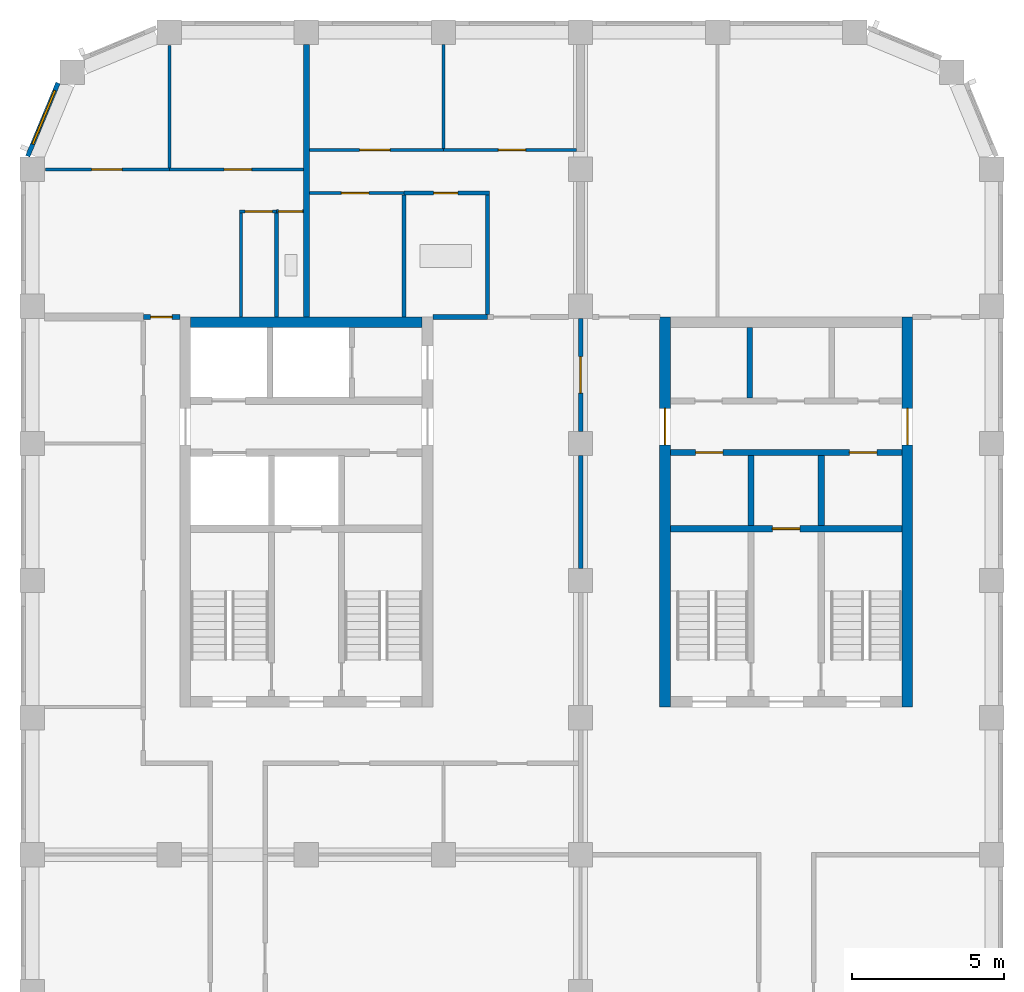
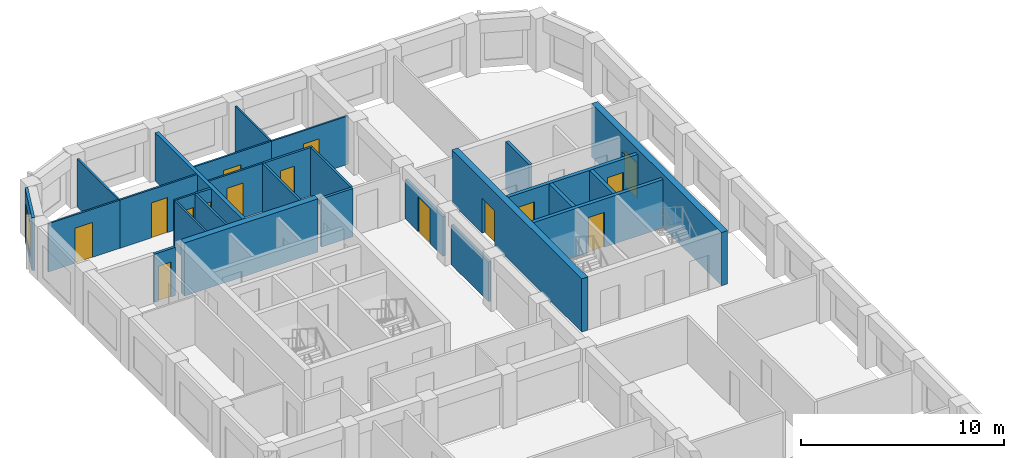
# One storey, part 6 of 10: 28 walls, 15 doors, 1 window, 16 openings.
"""IFC4 building model written with IfcOpenShell, lengths in metres."""

import ifcopenshell
import ifcopenshell.guid

model = None  # the IFC model being written
_history = None  # IfcOwnerHistory: only IFC2X3 demands one
_inside = {}  # id of a spatial element -> (the spatial element, [elements in it])
_under = {}  # id of a project, library or spatial element -> (it, [spatial elements below it])
_declared = {}  # id of a project -> (the project, [libraries it declares])
_typed = {}  # id of a type object -> (the type object, [elements of that type])
_made_of = {}  # id of a material, layer set ... -> (it, [elements and type objects made of it])


def new_model(schema):
    """Start an empty IFC model of exactly this schema.

    Asked for "IFC4X3", IfcOpenShell would pick the latest addendum, in which some entities
    have other attributes; the version numbers below select the first issue.
    IFC2X3 requires an IfcOwnerHistory on every rooted entity: one is made here for all.
    """
    global model, _history
    if schema == "IFC4X3":
        model = ifcopenshell.file(schema_version=(4, 3, 0, 0))
    else:
        model = ifcopenshell.file(schema=schema)
    _inside.clear()
    _under.clear()
    _declared.clear()
    _typed.clear()
    _made_of.clear()
    _history = None
    if model.schema == "IFC2X3":
        org = make("IfcOrganization", Name="unknown")
        user = make(
            "IfcPersonAndOrganization",
            ThePerson=make("IfcPerson", FamilyName="unknown"),
            TheOrganization=org,
        )
        app = make(
            "IfcApplication",
            ApplicationDeveloper=org,
            Version="unknown",
            ApplicationFullName="unknown",
            ApplicationIdentifier="unknown",
        )
        _history = make(
            "IfcOwnerHistory",
            OwningUser=user,
            OwningApplication=app,
            ChangeAction="ADDED",
            CreationDate=0,
        )
    return model


def make(cls, **values):
    """One entity of the class cls with the attributes given. An attribute that is None is left unset."""
    return model.create_entity(
        cls, **{name: value for name, value in values.items() if value is not None}
    )


def rooted(cls, **values):
    """An entity with a GlobalId (a new one), such as an element, a storey or a relation."""
    return make(cls, GlobalId=ifcopenshell.guid.new(), OwnerHistory=_history, **values)


def si_unit(unit_type, name, prefix=None):
    """IfcSIUnit, for example si_unit("LENGTHUNIT", "METRE", prefix="MILLI")."""
    return make("IfcSIUnit", UnitType=unit_type, Prefix=prefix, Name=name)


def assignment(units):
    """IfcUnitAssignment: the units of a project."""
    return None if units is None else make("IfcUnitAssignment", Units=units)


def point(xyz):
    """IfcCartesianPoint."""
    return None if xyz is None else make("IfcCartesianPoint", Coordinates=xyz)


def direction(xyz):
    """IfcDirection."""
    return None if xyz is None else make("IfcDirection", DirectionRatios=xyz)


def frame(location, z_axis=None, x_axis=None):
    """IfcAxis2Placement3D, a coordinate frame: its origin and axes. An axis left out is left unset."""
    return make(
        "IfcAxis2Placement3D",
        Location=point(location),
        Axis=direction(z_axis),
        RefDirection=direction(x_axis),
    )


def frame_2d(location, x_axis=None):
    """IfcAxis2Placement2D, a coordinate frame in the plane: its origin and x axis."""
    return make(
        "IfcAxis2Placement2D", Location=point(location), RefDirection=direction(x_axis)
    )


def origin():
    """The frame at (0, 0, 0) with its axes left unset."""
    return frame((0.0, 0.0, 0.0))


def place(relative_to, where):
    """IfcLocalPlacement: puts the frame where relative to a parent placement (None: the world)."""
    return make(
        "IfcLocalPlacement", PlacementRelTo=relative_to, RelativePlacement=where
    )


def context(
    kind, dimensions, precision=None, world=None, true_north=None, identifier=None
):
    """IfcGeometricRepresentationContext, for example the 3D "Model" context."""
    return make(
        "IfcGeometricRepresentationContext",
        ContextIdentifier=identifier,
        ContextType=kind,
        CoordinateSpaceDimension=dimensions,
        Precision=precision,
        WorldCoordinateSystem=world,
        TrueNorth=true_north,
    )


def subcontext(parent, identifier, kind, view, scale=None):
    """IfcGeometricRepresentationSubContext, for example "Body" below "Model"."""
    return make(
        "IfcGeometricRepresentationSubContext",
        ContextIdentifier=identifier,
        ContextType=kind,
        ParentContext=parent,
        TargetScale=scale,
        TargetView=view,
    )


def project(units=None, contexts=None):
    """IfcProject with its units and contexts."""
    return rooted(
        "IfcProject",
        Name="project",
        RepresentationContexts=contexts,
        UnitsInContext=assignment(units),
    )


def spatial(cls, under=None, at=None, **own):
    """A site, building, storey or space (cls), placed at a placement, below another one or the project."""
    s = rooted(cls, ObjectPlacement=at, **own)
    if under is not None:
        _under.setdefault(under.id(), (under, []))[1].append(s)
    return s


def profile(cls, at=None, kind="AREA", **sizes):
    """A parametric profile (cls). Its sizes go by their IFC names, for example OverallWidth=200.0."""
    return make(cls, ProfileType=kind, Position=at, **sizes)


def rectangle(**sizes):
    """IfcRectangleProfileDef."""
    return profile("IfcRectangleProfileDef", **sizes)


def extrude(swept, where, along, depth):
    """IfcExtrudedAreaSolid: the profile swept, set in the frame where, extruded along a direction by depth."""
    return make(
        "IfcExtrudedAreaSolid",
        SweptArea=swept,
        Position=where,
        ExtrudedDirection=direction(along),
        Depth=depth,
    )


def shape(context_of_items, identifier, shape_type, items):
    """IfcShapeRepresentation: the items that make up one representation, for example the "Body"."""
    return make(
        "IfcShapeRepresentation",
        ContextOfItems=context_of_items,
        RepresentationIdentifier=identifier,
        RepresentationType=shape_type,
        Items=items,
    )


def material(Name=None, Category=None):
    """IfcMaterial."""
    return make("IfcMaterial", Name=Name, Category=Category)


def layer(
    of_material, thickness, ventilated=None, Name=None, Category=None, Priority=None
):
    """IfcMaterialLayer: one layer of a wall or slab, of a material (None: an air gap)."""
    return make(
        "IfcMaterialLayer",
        Material=of_material,
        LayerThickness=thickness,
        IsVentilated=ventilated,
        Name=Name,
        Category=Category,
        Priority=Priority,
    )


def layer_set(layers, Name=None):
    """IfcMaterialLayerSet."""
    return make("IfcMaterialLayerSet", MaterialLayers=layers, LayerSetName=Name)


def made_of(thing, what):
    """Note that an element or type object is made of a material, layer set ...; save() writes the relation."""
    if what is not None:
        _made_of.setdefault(what.id(), (what, []))[1].append(thing)
    return thing


def type_object(cls, material=None, **own):
    """A type object (cls), such as IfcWallType, which elements share."""
    return made_of(rooted(cls, **own), material)


def element(
    cls,
    number,
    at=None,
    inside=None,
    cuts=None,
    type_object=None,
    material=None,
    context=None,
    identifier="Body",
    shape_type=None,
    held_by="IfcProductDefinitionShape",
    body=None,
    shapes=None,
    **own,
):
    """One element of the class cls, such as IfcWall. Its Tag is "e" and its number.

    at: its placement. inside: the storey or other place that contains it. cuts: it is an
    opening in that element (IfcRelVoidsElement). A single representation is given by context,
    identifier, shape_type and body (its items); several are given by shapes. held_by: the class
    of the entity that holds the representations. save() writes the other relations.
    """
    e = rooted(cls, Tag="e%d" % number, ObjectPlacement=at, **own)
    if body is not None:
        shapes = [shape(context, identifier, shape_type, body)]
    if shapes is not None:
        e.Representation = make(held_by, Representations=shapes)
    if inside is not None:
        _inside.setdefault(inside.id(), (inside, []))[1].append(e)
    if cuts is not None:
        rooted(
            "IfcRelVoidsElement", RelatingBuildingElement=cuts, RelatedOpeningElement=e
        )
    if type_object is not None:
        _typed.setdefault(type_object.id(), (type_object, []))[1].append(e)
    return made_of(e, material)


def fill(opening, filler):
    """IfcRelFillsElement: the door or window that sits in an opening."""
    return rooted(
        "IfcRelFillsElement",
        RelatingOpeningElement=opening,
        RelatedBuildingElement=filler,
    )


def aggregate(whole, parts):
    """IfcRelAggregates: a whole, such as a stair, and the parts it consists of."""
    return rooted("IfcRelAggregates", RelatingObject=whole, RelatedObjects=parts)


def save(model, path):
    """Write the relations noted so far, then the file.

    IfcRelAggregates (storeys below a building ...), IfcRelContainedInSpatialStructure (elements
    in a storey), IfcRelDefinesByType, IfcRelAssociatesMaterial and IfcRelDeclares: one each for
    every whole, place, type object, material and project.
    """
    for whole, parts in _under.values():
        aggregate(whole, parts)
    for where, things in _inside.values():
        rooted(
            "IfcRelContainedInSpatialStructure",
            RelatedElements=things,
            RelatingStructure=where,
        )
    for kind, things in _typed.values():
        rooted("IfcRelDefinesByType", RelatedObjects=things, RelatingType=kind)
    for what, things in _made_of.values():
        rooted("IfcRelAssociatesMaterial", RelatedObjects=things, RelatingMaterial=what)
    for by, libraries in _declared.values():
        rooted("IfcRelDeclares", RelatingContext=by, RelatedDefinitions=libraries)
    model.write(path)


model = new_model("IFC4")

# Units and contexts
model_context = context("Model", 3, precision=1e-05, world=origin(), true_north=direction((0.0, 1.0)))
body_context = subcontext(model_context, "Body", "Model", "MODEL_VIEW")
ifc_project = project(units=[si_unit("LENGTHUNIT", "METRE"), si_unit("AREAUNIT", "SQUARE_METRE"), si_unit("VOLUMEUNIT", "CUBIC_METRE"), si_unit("PLANEANGLEUNIT", "RADIAN"), si_unit("MASSUNIT", "GRAM", prefix="KILO")], contexts=[model_context])

# Site, building, storey
site_placement = place(None, origin())
site = spatial("IfcSite", under=ifc_project, at=site_placement, CompositionType="ELEMENT")
building_placement = place(site_placement, origin())
building = spatial("IfcBuilding", under=site, at=building_placement, Name="Girih Gate Residences", CompositionType="ELEMENT")
storey_placement = place(building_placement, frame((0.0, 0.0, 195.5)))
storey = spatial("IfcBuildingStorey", under=building, at=storey_placement, Name="L54", CompositionType="ELEMENT", Elevation=195.5)

# Wall, opening, door
ifc_material_1 = material(Name="Gypsum board on steel studs", Category="steel")
ifc_layer_1 = layer(ifc_material_1, 0.14990234375)
ifc_layer_set_1 = layer_set([ifc_layer_1], Name="Compartment wall 150 mm")
wall_type_1 = type_object("IfcWallType", Name="Compartment wall 150 mm", PredefinedType="PARTITIONING", material=ifc_layer_set_1)
wall_1_placement = place(storey_placement, frame((3.64990234375, 40.14990234375, 0.0), z_axis=(0.0, 0.0, 1.0), x_axis=(1.0, 0.0, 0.0)))
wall_1 = element("IfcWall", 1, at=wall_1_placement, inside=storey, type_object=wall_type_1, Name="L54 partition", PredefinedType="PARTITIONING", context=body_context, shape_type="SweptSolid", body=[
    extrude(rectangle(XDim=1.2001953125, YDim=0.14990234375, at=frame_2d((0.60009765625, 0.0))), origin(), (0.0, 0.0, 1.0), 2.89990234375),
])
opening_1_placement = place(wall_1_placement, frame((0.239990234375, 0.0, 0.0)))
opening_1 = element("IfcOpeningElement", 2, at=opening_1_placement, cuts=wall_1, Name="Opening A54-015", PredefinedType="OPENING", context=body_context, shape_type="SweptSolid", body=[
    extrude(rectangle(XDim=0.699951171875, YDim=2.10009765625, at=frame_2d((0.35009765625, 1.050048828125))), frame((0.0, 0.0849609375, 0.0), z_axis=(0.0, -1.0, 0.0), x_axis=(1.0, 0.0, 0.0)), (0.0, 0.0, 1.0), 0.169921875),
])
ifc_material_2 = material(Name="Timber", Category="wood")
door_type_1 = type_object("IfcDoorType", Name="Narrow door 700x2100", OperationType="NOTDEFINED", PredefinedType="DOOR", material=ifc_material_2)
door_1_placement = place(opening_1_placement, origin())
door_1 = element("IfcDoor", 3, at=door_1_placement, inside=storey, type_object=door_type_1, Name="Door A54-015", OperationType="SINGLE_SWING_LEFT", OverallHeight=2.10009765625, OverallWidth=0.699951171875, PredefinedType="DOOR", context=body_context, shape_type="SweptSolid", body=[
    extrude(rectangle(XDim=0.699951171875, YDim=2.10009765625, at=frame_2d((0.35009765625, 1.050048828125))), frame((0.0, 0.02490234375, 0.0), z_axis=(0.0, -1.0, 0.0), x_axis=(1.0, 0.0, 0.0)), (0.0, 0.0, 1.0), 0.050048828125),
])
fill(opening_1, door_1)

# Walls
wall_2_placement = place(storey_placement, frame((13.14990234375, 40.14990234375, 0.0), z_axis=(0.0, 0.0, 1.0), x_axis=(1.0, 0.0, 0.0)))
element("IfcWall", 4, at=wall_2_placement, inside=storey, type_object=wall_type_1, Name="L54 partition", PredefinedType="PARTITIONING", context=body_context, shape_type="SweptSolid", body=[
    extrude(rectangle(XDim=1.800048828125, YDim=0.14990234375, at=frame_2d((0.89990234375, 0.0))), origin(), (0.0, 0.0, 1.0), 2.89990234375),
])
wall_3_placement = place(storey_placement, frame((18.0, 31.89990234375, 0.0), z_axis=(0.0, 0.0, 1.0), x_axis=(0.0, 1.0, 0.0)))
element("IfcWall", 5, at=wall_3_placement, inside=storey, type_object=wall_type_1, Name="L54 partition", PredefinedType="PARTITIONING", context=body_context, shape_type="SweptSolid", body=[
    extrude(rectangle(XDim=3.7001953125, YDim=0.14990234375, at=frame_2d((1.85009765625, 0.0))), origin(), (0.0, 0.0, 1.0), 2.3798828125),
])

# Wall, opening, door
wall_4_placement = place(storey_placement, frame((18.0, 40.10009765625, 0.0), z_axis=(0.0, 0.0, 1.0), x_axis=(0.0, -1.0, 0.0)))
wall_4 = element("IfcWall", 6, at=wall_4_placement, inside=storey, type_object=wall_type_1, Name="L54 partition", PredefinedType="PARTITIONING", context=body_context, shape_type="SweptSolid", body=[
    extrude(rectangle(XDim=3.7001953125, YDim=0.14990234375, at=frame_2d((1.85009765625, 0.0))), origin(), (0.0, 0.0, 1.0), 2.3798828125),
])
opening_2_placement = place(wall_4_placement, frame((1.25, 0.0, 0.0)))
opening_2 = element("IfcOpeningElement", 7, at=opening_2_placement, cuts=wall_4, Name="Opening A54-030", PredefinedType="OPENING", context=body_context, shape_type="SweptSolid", body=[
    extrude(rectangle(XDim=1.199951171875, YDim=2.10009765625, at=frame_2d((0.60009765625, 1.050048828125))), frame((0.0, 0.0849609375, 0.0), z_axis=(0.0, -1.0, 0.0), x_axis=(1.0, 0.0, 0.0)), (0.0, 0.0, 1.0), 0.169921875),
])
ifc_material_3 = material(Name="Timber, fire-rated core", Category="wood")
door_type_2 = type_object("IfcDoorType", Name="Corridor fire door 1200x2100 FD30S", OperationType="NOTDEFINED", PredefinedType="DOOR", material=ifc_material_3)
door_2_placement = place(opening_2_placement, origin())
door_2 = element("IfcDoor", 8, at=door_2_placement, inside=storey, type_object=door_type_2, Name="Door A54-030", OperationType="SINGLE_SWING_LEFT", OverallHeight=2.10009765625, OverallWidth=1.199951171875, PredefinedType="DOOR", context=body_context, shape_type="SweptSolid", body=[
    extrude(rectangle(XDim=1.199951171875, YDim=2.10009765625, at=frame_2d((0.60009765625, 1.050048828125))), frame((0.0, 0.02490234375, 0.0), z_axis=(0.0, -1.0, 0.0), x_axis=(1.0, 0.0, 0.0)), (0.0, 0.0, 1.0), 0.050048828125),
])
fill(opening_2, door_2)

# Wall
ifc_material_4 = material(Name="Concrete C60/75", Category="concrete")
ifc_layer_2 = layer(ifc_material_4, 0.35009765625)
ifc_layer_set_2 = layer_set([ifc_layer_2], Name="Core wall RC 350 Concrete C60/75")
wall_type_2 = type_object("IfcWallType", Name="Core wall RC 350 Concrete C60/75", PredefinedType="SOLIDWALL", material=ifc_layer_set_2)
wall_5_placement = place(storey_placement, frame((5.199951171875, 39.97509765625, 0.0), z_axis=(0.0, 0.0, 1.0), x_axis=(1.0, 0.0, 0.0)))
element("IfcWall", 9, at=wall_5_placement, inside=storey, type_object=wall_type_2, Name="Core wall W-N L54", PredefinedType="SOLIDWALL", context=body_context, shape_type="SweptSolid", body=[
    extrude(rectangle(XDim=7.60009765625, YDim=0.35009765625, at=frame_2d((3.800048828125, 0.0))), origin(), (0.0, 0.0, 1.0), 3.199951171875),
])

# Wall, opening, door
ifc_layer_3 = layer(ifc_material_1, 0.10009765625)
ifc_layer_set_3 = layer_set([ifc_layer_3], Name="Partition 100 mm")
wall_type_3 = type_object("IfcWallType", Name="Partition 100 mm", PredefinedType="PARTITIONING", material=ifc_layer_set_3)
wall_6_placement = place(storey_placement, frame((4.5, 45.0, 0.0), z_axis=(0.0, 0.0, 1.0), x_axis=(1.0, 0.0, 0.0)))
wall_6 = element("IfcWall", 10, at=wall_6_placement, inside=storey, type_object=wall_type_3, Name="L54 partition", PredefinedType="PARTITIONING", context=body_context, shape_type="SweptSolid", body=[
    extrude(rectangle(XDim=4.39990234375, YDim=0.10009765625, at=frame_2d((2.199951171875, 0.0))), origin(), (0.0, 0.0, 1.0), 2.89990234375),
])
opening_3_placement = place(wall_6_placement, frame((1.800048828125, 0.0, 0.0)))
opening_3 = element("IfcOpeningElement", 11, at=opening_3_placement, cuts=wall_6, Name="Opening A54-012", PredefinedType="OPENING", context=body_context, shape_type="SweptSolid", body=[
    extrude(rectangle(XDim=0.89990234375, YDim=2.10009765625, at=frame_2d((0.449951171875, 1.050048828125))), frame((0.0, 0.06005859375, 0.0), z_axis=(0.0, -1.0, 0.0), x_axis=(1.0, 0.0, 0.0)), (0.0, 0.0, 1.0), 0.1201171875),
])
door_type_3 = type_object("IfcDoorType", Name="Bedroom door 900x2100", OperationType="NOTDEFINED", PredefinedType="DOOR", material=ifc_material_2)
door_3_placement = place(opening_3_placement, origin())
door_3 = element("IfcDoor", 12, at=door_3_placement, inside=storey, type_object=door_type_3, Name="Door A54-012", OperationType="SINGLE_SWING_RIGHT", OverallHeight=2.10009765625, OverallWidth=0.89990234375, PredefinedType="DOOR", context=body_context, shape_type="SweptSolid", body=[
    extrude(rectangle(XDim=0.89990234375, YDim=2.10009765625, at=frame_2d((0.449951171875, 1.050048828125))), frame((0.0, 0.02490234375, 0.0), z_axis=(0.0, -1.0, 0.0), x_axis=(1.0, 0.0, 0.0)), (0.0, 0.0, 1.0), 0.050048828125),
])
fill(opening_3, door_3)

# Wall
wall_7_placement = place(storey_placement, frame((4.5, 45.050048828125, 0.0), z_axis=(0.0, 0.0, 1.0), x_axis=(0.0, 1.0, 0.0)))
element("IfcWall", 13, at=wall_7_placement, inside=storey, type_object=wall_type_3, Name="L54 partition", PredefinedType="PARTITIONING", context=body_context, shape_type="SweptSolid", body=[
    extrude(rectangle(XDim=4.01708984375, YDim=0.10009765625, at=frame_2d((2.008544921875, 0.0))), origin(), (0.0, 0.0, 1.0), 2.89990234375),
])

# Wall, opening, door
wall_8_placement = place(storey_placement, frame((8.022705078125, 43.6201171875, 0.0), z_axis=(0.0, 0.0, 1.0), x_axis=(-1.0, 0.0, 0.0)))
wall_8 = element("IfcWall", 14, at=wall_8_placement, inside=storey, type_object=wall_type_3, Name="L54 partition", PredefinedType="PARTITIONING", context=body_context, shape_type="SweptSolid", body=[
    extrude(rectangle(XDim=1.22265625, YDim=0.10009765625, at=frame_2d((0.611328125, 0.0))), origin(), (0.0, 0.0, 1.0), 2.89990234375),
])
opening_4_placement = place(wall_8_placement, frame((0.136474609375, 0.0, 0.0)))
opening_4 = element("IfcOpeningElement", 15, at=opening_4_placement, cuts=wall_8, Name="Opening A54-013", PredefinedType="OPENING", context=body_context, shape_type="SweptSolid", body=[
    extrude(rectangle(XDim=0.89990234375, YDim=2.10009765625, at=frame_2d((0.449951171875, 1.050048828125))), frame((0.0, 0.06005859375, 0.0), z_axis=(0.0, -1.0, 0.0), x_axis=(1.0, 0.0, 0.0)), (0.0, 0.0, 1.0), 0.1201171875),
])
door_type_4 = type_object("IfcDoorType", Name="Kitchen door 900x2100", OperationType="NOTDEFINED", PredefinedType="DOOR", material=ifc_material_2)
door_4_placement = place(opening_4_placement, origin())
door_4 = element("IfcDoor", 16, at=door_4_placement, inside=storey, type_object=door_type_4, Name="Door A54-013", OperationType="SINGLE_SWING_LEFT", OverallHeight=2.10009765625, OverallWidth=0.89990234375, PredefinedType="DOOR", context=body_context, shape_type="SweptSolid", body=[
    extrude(rectangle(XDim=0.89990234375, YDim=2.10009765625, at=frame_2d((0.449951171875, 1.050048828125))), frame((0.0, 0.02490234375, 0.0), z_axis=(0.0, -1.0, 0.0), x_axis=(1.0, 0.0, 0.0)), (0.0, 0.0, 1.0), 0.050048828125),
])
fill(opening_4, door_4)

# Wall
wall_9_placement = place(storey_placement, frame((6.85009765625, 40.14990234375, 0.0), z_axis=(0.0, 0.0, 1.0), x_axis=(0.0, 1.0, 0.0)))
element("IfcWall", 17, at=wall_9_placement, inside=storey, type_object=wall_type_3, Name="L54 partition", PredefinedType="PARTITIONING", context=body_context, shape_type="SweptSolid", body=[
    extrude(rectangle(XDim=3.420166015625, YDim=0.10009765625, at=frame_2d((1.7099609375, 0.0))), origin(), (0.0, 0.0, 1.0), 2.89990234375),
])

# Wall, opening, door
wall_10_placement = place(storey_placement, frame((0.432861328125, 45.0, 0.0), z_axis=(0.0, 0.0, 1.0), x_axis=(1.0, 0.0, 0.0)))
wall_10 = element("IfcWall", 18, at=wall_10_placement, inside=storey, type_object=wall_type_3, Name="L54 partition", PredefinedType="PARTITIONING", context=body_context, shape_type="SweptSolid", body=[
    extrude(rectangle(XDim=4.067138671875, YDim=0.10009765625, at=frame_2d((2.03369140625, 0.0))), origin(), (0.0, 0.0, 1.0), 2.89990234375),
])
opening_5_placement = place(wall_10_placement, frame((1.51708984375, 0.0, 0.0)))
opening_5 = element("IfcOpeningElement", 19, at=opening_5_placement, cuts=wall_10, Name="Opening A54-014", PredefinedType="OPENING", context=body_context, shape_type="SweptSolid", body=[
    extrude(rectangle(XDim=1.0, YDim=2.10009765625, at=frame_2d((0.5, 1.050048828125))), frame((0.0, 0.06005859375, 0.0), z_axis=(0.0, -1.0, 0.0), x_axis=(1.0, 0.0, 0.0)), (0.0, 0.0, 1.0), 0.1201171875),
])
door_type_5 = type_object("IfcDoorType", Name="Living room door 1000x2100", OperationType="NOTDEFINED", PredefinedType="DOOR", material=ifc_material_2)
door_5_placement = place(opening_5_placement, origin())
door_5 = element("IfcDoor", 20, at=door_5_placement, inside=storey, type_object=door_type_5, Name="Door A54-014", OperationType="SINGLE_SWING_LEFT", OverallHeight=2.10009765625, OverallWidth=1.0, PredefinedType="DOOR", context=body_context, shape_type="SweptSolid", body=[
    extrude(rectangle(XDim=1.0, YDim=2.10009765625, at=frame_2d((0.5, 1.050048828125))), frame((0.0, 0.02490234375, 0.0), z_axis=(0.0, -1.0, 0.0), x_axis=(1.0, 0.0, 0.0)), (0.0, 0.0, 1.0), 0.050048828125),
])
fill(opening_5, door_5)

wall_11_placement = place(storey_placement, frame((13.5, 45.639892578125, 0.0), z_axis=(0.0, 0.0, 1.0), x_axis=(1.0, 0.0, 0.0)))
wall_11 = element("IfcWall", 21, at=wall_11_placement, inside=storey, type_object=wall_type_3, Name="L54 partition", PredefinedType="PARTITIONING", context=body_context, shape_type="SweptSolid", body=[
    extrude(rectangle(XDim=4.375, YDim=0.10009765625, at=frame_2d((2.1875, 0.0))), origin(), (0.0, 0.0, 1.0), 2.89990234375),
])
opening_6_placement = place(wall_11_placement, frame((1.800048828125, 0.0, 0.0)))
opening_6 = element("IfcOpeningElement", 22, at=opening_6_placement, cuts=wall_11, Name="Opening A54-017", PredefinedType="OPENING", context=body_context, shape_type="SweptSolid", body=[
    extrude(rectangle(XDim=0.89990234375, YDim=2.10009765625, at=frame_2d((0.449951171875, 1.050048828125))), frame((0.0, 0.06005859375, 0.0), z_axis=(0.0, -1.0, 0.0), x_axis=(1.0, 0.0, 0.0)), (0.0, 0.0, 1.0), 0.1201171875),
])
door_6_placement = place(opening_6_placement, origin())
door_6 = element("IfcDoor", 23, at=door_6_placement, inside=storey, type_object=door_type_3, Name="Door A54-017", OperationType="SINGLE_SWING_RIGHT", OverallHeight=2.10009765625, OverallWidth=0.89990234375, PredefinedType="DOOR", context=body_context, shape_type="SweptSolid", body=[
    extrude(rectangle(XDim=0.89990234375, YDim=2.10009765625, at=frame_2d((0.449951171875, 1.050048828125))), frame((0.0, 0.02490234375, 0.0), z_axis=(0.0, -1.0, 0.0), x_axis=(1.0, 0.0, 0.0)), (0.0, 0.0, 1.0), 0.050048828125),
])
fill(opening_6, door_6)

# Wall
wall_12_placement = place(storey_placement, frame((13.5, 45.68994140625, 0.0), z_axis=(0.0, 0.0, 1.0), x_axis=(0.0, 1.0, 0.0)))
element("IfcWall", 24, at=wall_12_placement, inside=storey, type_object=wall_type_3, Name="L54 partition", PredefinedType="PARTITIONING", context=body_context, shape_type="SweptSolid", body=[
    extrude(rectangle(XDim=3.41015625, YDim=0.10009765625, at=frame_2d((1.705078125, 0.0))), origin(), (0.0, 0.0, 1.0), 2.89990234375),
])

# Wall, opening, door
wall_13_placement = place(storey_placement, frame((12.200927734375, 44.219970703125, 0.0), z_axis=(0.0, 0.0, 1.0), x_axis=(-1.0, 0.0, 0.0)))
wall_13 = element("IfcWall", 25, at=wall_13_placement, inside=storey, type_object=wall_type_3, Name="L54 partition", PredefinedType="PARTITIONING", context=body_context, shape_type="SweptSolid", body=[
    extrude(rectangle(XDim=3.100830078125, YDim=0.10009765625, at=frame_2d((1.55029296875, 0.0))), origin(), (0.0, 0.0, 1.0), 2.89990234375),
])
opening_7_placement = place(wall_13_placement, frame((1.150390625, 0.0, 0.0)))
opening_7 = element("IfcOpeningElement", 26, at=opening_7_placement, cuts=wall_13, Name="Opening A54-018", PredefinedType="OPENING", context=body_context, shape_type="SweptSolid", body=[
    extrude(rectangle(XDim=0.89990234375, YDim=2.10009765625, at=frame_2d((0.449951171875, 1.050048828125))), frame((0.0, 0.06005859375, 0.0), z_axis=(0.0, -1.0, 0.0), x_axis=(1.0, 0.0, 0.0)), (0.0, 0.0, 1.0), 0.1201171875),
])
door_7_placement = place(opening_7_placement, origin())
door_7 = element("IfcDoor", 27, at=door_7_placement, inside=storey, type_object=door_type_4, Name="Door A54-018", OperationType="SINGLE_SWING_RIGHT", OverallHeight=2.10009765625, OverallWidth=0.89990234375, PredefinedType="DOOR", context=body_context, shape_type="SweptSolid", body=[
    extrude(rectangle(XDim=0.89990234375, YDim=2.10009765625, at=frame_2d((0.449951171875, 1.050048828125))), frame((0.0, 0.02490234375, 0.0), z_axis=(0.0, -1.0, 0.0), x_axis=(1.0, 0.0, 0.0)), (0.0, 0.0, 1.0), 0.050048828125),
])
fill(opening_7, door_7)

wall_14_placement = place(storey_placement, frame((9.10009765625, 45.639892578125, 0.0), z_axis=(0.0, 0.0, 1.0), x_axis=(1.0, 0.0, 0.0)))
wall_14 = element("IfcWall", 28, at=wall_14_placement, inside=storey, type_object=wall_type_3, Name="L54 partition", PredefinedType="PARTITIONING", context=body_context, shape_type="SweptSolid", body=[
    extrude(rectangle(XDim=4.39990234375, YDim=0.10009765625, at=frame_2d((2.199951171875, 0.0))), origin(), (0.0, 0.0, 1.0), 2.89990234375),
])
opening_8_placement = place(wall_14_placement, frame((1.64990234375, 0.0, 0.0)))
opening_8 = element("IfcOpeningElement", 29, at=opening_8_placement, cuts=wall_14, Name="Opening A54-019", PredefinedType="OPENING", context=body_context, shape_type="SweptSolid", body=[
    extrude(rectangle(XDim=1.0, YDim=2.10009765625, at=frame_2d((0.5, 1.050048828125))), frame((0.0, 0.06005859375, 0.0), z_axis=(0.0, -1.0, 0.0), x_axis=(1.0, 0.0, 0.0)), (0.0, 0.0, 1.0), 0.1201171875),
])
door_8_placement = place(opening_8_placement, origin())
door_8 = element("IfcDoor", 30, at=door_8_placement, inside=storey, type_object=door_type_5, Name="Door A54-019", OperationType="SINGLE_SWING_LEFT", OverallHeight=2.10009765625, OverallWidth=1.0, PredefinedType="DOOR", context=body_context, shape_type="SweptSolid", body=[
    extrude(rectangle(XDim=1.0, YDim=2.10009765625, at=frame_2d((0.5, 1.050048828125))), frame((0.0, 0.02490234375, 0.0), z_axis=(0.0, -1.0, 0.0), x_axis=(1.0, 0.0, 0.0)), (0.0, 0.0, 1.0), 0.050048828125),
])
fill(opening_8, door_8)

# Wall
ifc_layer_4 = layer(ifc_material_1, 0.199951171875)
ifc_layer_set_4 = layer_set([ifc_layer_4], Name="Party wall 200 mm")
wall_type_4 = type_object("IfcWallType", Name="Party wall 200 mm", PredefinedType="PARTITIONING", material=ifc_layer_set_4)
wall_15_placement = place(storey_placement, frame((9.0, 40.14990234375, 0.0), z_axis=(0.0, 0.0, 1.0), x_axis=(0.0, 1.0, 0.0)))
element("IfcWall", 31, at=wall_15_placement, inside=storey, type_object=wall_type_4, Name="L54 partition", PredefinedType="PARTITIONING", context=body_context, shape_type="SweptSolid", body=[
    extrude(rectangle(XDim=8.9501953125, YDim=0.199951171875, at=frame_2d((4.47509765625, 0.0))), origin(), (0.0, 0.0, 1.0), 2.89990234375),
])

# Wall, opening, window
ifc_material_5 = material(Name="Precast concrete C50/60", Category="concrete")
ifc_layer_5 = layer(ifc_material_5, 0.050048828125, Name="Outer leaf")
ifc_material_6 = material(Name="Rigid PIR insulation")
ifc_layer_6 = layer(ifc_material_6, 0.06005859375, Name="Insulation")
ifc_material_7 = material(Name="Precast concrete C40/50", Category="concrete")
ifc_layer_7 = layer(ifc_material_7, 0.0400390625, Name="Inner leaf")
ifc_layer_set_5 = layer_set([ifc_layer_5, ifc_layer_6, ifc_layer_7], Name="Precast concrete C50/60 external wall 150")
wall_type_5 = type_object("IfcWallType", Name="Precast concrete C50/60 external wall 150", PredefinedType="SOLIDWALL", material=ifc_layer_set_5)
wall_16_placement = place(storey_placement, frame((-0.147216796875, 45.4287109375, 0.0), z_axis=(0.0, 0.0, 1.0), x_axis=(0.382669406082, 0.923885342263, 0.0)))
wall_16 = element("IfcWall", 32, at=wall_16_placement, inside=storey, type_object=wall_type_5, Name="External wall NW0013_0482.0", PredefinedType="SOLIDWALL", context=body_context, shape_type="SweptSolid", body=[
    extrude(rectangle(XDim=2.602294921875, YDim=0.14990234375, at=frame_2d((1.30126953125, 0.0))), origin(), (0.0, 0.0, 1.0), 3.199951171875),
])
opening_9_placement = place(wall_16_placement, frame((0.432373046875, 0.0, 0.449951171875)))
opening_9 = element("IfcOpeningElement", 33, at=opening_9_placement, cuts=wall_16, Name="Opening W-2G", PredefinedType="OPENING", context=body_context, shape_type="SweptSolid", body=[
    extrude(rectangle(XDim=1.89990234375, YDim=1.949951171875, at=frame_2d((0.949951171875, 0.97509765625))), frame((0.0, 0.0849609375, 0.0), z_axis=(0.0, -1.0, 0.0), x_axis=(1.0, 0.0, 0.0)), (0.0, 0.0, 1.0), 0.169921875),
])
ifc_material_8 = material(Name="Double glazing in aluminium frame", Category="aluminium")
window_type = type_object("IfcWindowType", Name="Window W-2G 1900x1950", PartitioningType="SINGLE_PANEL", PredefinedType="WINDOW", material=ifc_material_8)
window_placement = place(opening_9_placement, origin())
window = element("IfcWindow", 34, at=window_placement, inside=storey, type_object=window_type, Name="Window W-2G NW0013_0482.0", OverallHeight=1.949951171875, OverallWidth=1.89990234375, PartitioningType="SINGLE_PANEL", PredefinedType="WINDOW", context=body_context, shape_type="SweptSolid", body=[
    extrude(rectangle(XDim=1.89990234375, YDim=1.949951171875, at=frame_2d((0.949951171875, 0.97509765625))), frame((0.0, 0.030029296875, 0.0), z_axis=(0.0, -1.0, 0.0), x_axis=(1.0, 0.0, 0.0)), (0.0, 0.0, 1.0), 0.06005859375),
])
fill(opening_9, window)

# Wall
ifc_material_9 = material(Name="Concrete C40/50", Category="concrete")
ifc_layer_8 = layer(ifc_material_9, 0.175048828125)
ifc_layer_set_6 = layer_set([ifc_layer_8], Name="Riser shaft wall 175")
wall_type_6 = type_object("IfcWallType", Name="Riser shaft wall 175", PredefinedType="SOLIDWALL", material=ifc_layer_set_6)
wall_17_placement = place(storey_placement, frame((23.550048828125, 37.5, 0.0), z_axis=(0.0, 0.0, 1.0), x_axis=(0.0, 1.0, 0.0)))
element("IfcWall", 35, at=wall_17_placement, inside=storey, type_object=wall_type_6, Name="L54 C core wall V1c", PredefinedType="SOLIDWALL", context=body_context, shape_type="SweptSolid", body=[
    extrude(rectangle(XDim=2.300048828125, YDim=0.175048828125, at=frame_2d((1.14990234375, 0.0))), origin(), (0.0, 0.0, 1.0), 2.89990234375),
])

# Wall, opening, door
ifc_layer_9 = layer(ifc_material_9, 0.199951171875)
ifc_layer_set_7 = layer_set([ifc_layer_9], Name="Shaft wall 200")
wall_type_7 = type_object("IfcWallType", Name="Shaft wall 200", PredefinedType="SOLIDWALL", material=ifc_layer_set_7)
wall_18_placement = place(storey_placement, frame((20.949951171875, 33.199951171875, 0.0), z_axis=(0.0, 0.0, 1.0), x_axis=(1.0, 0.0, 0.0)))
wall_18 = element("IfcWall", 36, at=wall_18_placement, inside=storey, type_object=wall_type_7, Name="L54 C core wall H1", PredefinedType="SOLIDWALL", context=body_context, shape_type="SweptSolid", body=[
    extrude(rectangle(XDim=7.60009765625, YDim=0.199951171875, at=frame_2d((3.800048828125, 0.0))), origin(), (0.0, 0.0, 1.0), 2.89990234375),
])
opening_10_placement = place(wall_18_placement, frame((3.35009765625, 0.0, 0.0)))
opening_10 = element("IfcOpeningElement", 37, at=opening_10_placement, cuts=wall_18, Name="Opening D-L54-C-008", PredefinedType="OPENING", context=body_context, shape_type="SweptSolid", body=[
    extrude(rectangle(XDim=0.89990234375, YDim=2.10009765625, at=frame_2d((0.449951171875, 1.050048828125))), frame((0.0, 0.10986328125, 0.0), z_axis=(0.0, -1.0, 0.0), x_axis=(1.0, 0.0, 0.0)), (0.0, 0.0, 1.0), 0.219970703125),
])
ifc_material_10 = material(Name="Painted steel, fire-resisting", Category="steel")
door_type_6 = type_object("IfcDoorType", Name="Fire door 900x2100", OperationType="SINGLE_SWING_LEFT", PredefinedType="DOOR", material=ifc_material_10)
door_9_placement = place(opening_10_placement, origin())
door_9 = element("IfcDoor", 38, at=door_9_placement, inside=storey, type_object=door_type_6, Name="L54 C maintenance store door", OperationType="SINGLE_SWING_LEFT", OverallHeight=2.10009765625, OverallWidth=0.89990234375, PredefinedType="DOOR", context=body_context, shape_type="SweptSolid", body=[
    extrude(rectangle(XDim=0.89990234375, YDim=2.10009765625, at=frame_2d((0.449951171875, 1.050048828125))), frame((0.0, 0.02490234375, 0.0), z_axis=(0.0, -1.0, 0.0), x_axis=(1.0, 0.0, 0.0)), (0.0, 0.0, 1.0), 0.050048828125),
])
fill(opening_10, door_9)

# Wall, openings, doors
wall_19_placement = place(storey_placement, frame((20.949951171875, 35.699951171875, 0.0), z_axis=(0.0, 0.0, 1.0), x_axis=(1.0, 0.0, 0.0)))
wall_19 = element("IfcWall", 39, at=wall_19_placement, inside=storey, type_object=wall_type_7, Name="L54 C core wall H2", PredefinedType="SOLIDWALL", context=body_context, shape_type="SweptSolid", body=[
    extrude(rectangle(XDim=7.60009765625, YDim=0.199951171875, at=frame_2d((3.800048828125, 0.0))), origin(), (0.0, 0.0, 1.0), 2.89990234375),
])
opening_11_placement = place(wall_19_placement, frame((0.824951171875, 0.0, 0.0)))
opening_11 = element("IfcOpeningElement", 40, at=opening_11_placement, cuts=wall_19, Name="Opening D-L54-C-004", PredefinedType="OPENING", context=body_context, shape_type="SweptSolid", body=[
    extrude(rectangle(XDim=0.89990234375, YDim=2.10009765625, at=frame_2d((0.449951171875, 1.050048828125))), frame((0.0, 0.10986328125, 0.0), z_axis=(0.0, -1.0, 0.0), x_axis=(1.0, 0.0, 0.0)), (0.0, 0.0, 1.0), 0.219970703125),
])
opening_12_placement = place(wall_19_placement, frame((5.875, 0.0, 0.0)))
opening_12 = element("IfcOpeningElement", 41, at=opening_12_placement, cuts=wall_19, Name="Opening D-L54-C-005", PredefinedType="OPENING", context=body_context, shape_type="SweptSolid", body=[
    extrude(rectangle(XDim=0.89990234375, YDim=2.10009765625, at=frame_2d((0.449951171875, 1.050048828125))), frame((0.0, 0.10986328125, 0.0), z_axis=(0.0, -1.0, 0.0), x_axis=(1.0, 0.0, 0.0)), (0.0, 0.0, 1.0), 0.219970703125),
])
door_10_placement = place(opening_11_placement, origin())
door_10 = element("IfcDoor", 42, at=door_10_placement, inside=storey, type_object=door_type_6, Name="L54 C cleaners store door", OperationType="SINGLE_SWING_LEFT", OverallHeight=2.10009765625, OverallWidth=0.89990234375, PredefinedType="DOOR", context=body_context, shape_type="SweptSolid", body=[
    extrude(rectangle(XDim=0.89990234375, YDim=2.10009765625, at=frame_2d((0.449951171875, 1.050048828125))), frame((0.0, 0.02490234375, 0.0), z_axis=(0.0, -1.0, 0.0), x_axis=(1.0, 0.0, 0.0)), (0.0, 0.0, 1.0), 0.050048828125),
])
fill(opening_11, door_10)
door_11_placement = place(opening_12_placement, origin())
door_11 = element("IfcDoor", 43, at=door_11_placement, inside=storey, type_object=door_type_6, Name="L54 C electrical room door", OperationType="SINGLE_SWING_LEFT", OverallHeight=2.10009765625, OverallWidth=0.89990234375, PredefinedType="DOOR", context=body_context, shape_type="SweptSolid", body=[
    extrude(rectangle(XDim=0.89990234375, YDim=2.10009765625, at=frame_2d((0.449951171875, 1.050048828125))), frame((0.0, 0.02490234375, 0.0), z_axis=(0.0, -1.0, 0.0), x_axis=(1.0, 0.0, 0.0)), (0.0, 0.0, 1.0), 0.050048828125),
])
fill(opening_12, door_11)

# Walls
for number, where, z_axis, x_axis, name in (
    (44, (23.60009765625, 33.300048828125, 0.0), (0.0, 0.0, 1.0), (0.0, 1.0, 0.0), "L54 C core wall V1b"),
    (45, (25.89990234375, 33.300048828125, 0.0), (0.0, 0.0, 1.0), (0.0, 1.0, 0.0), "L54 C core wall V2b"),
):
    element("IfcWall", number, at=place(storey_placement, frame(where, z_axis=z_axis, x_axis=x_axis)), inside=storey, type_object=wall_type_7, Name=name, PredefinedType="SOLIDWALL", context=body_context, shape_type="SweptSolid", body=[
        extrude(rectangle(XDim=2.300048828125, YDim=0.199951171875, at=frame_2d((1.14990234375, 0.0))), origin(), (0.0, 0.0, 1.0), 2.89990234375),
    ])

# Wall, opening, door
ifc_layer_10 = layer(ifc_material_9, 0.35009765625)
ifc_layer_set_8 = layer_set([ifc_layer_10], Name="Stair core wall RC 350 Concrete C40/50")
wall_type_8 = type_object("IfcWallType", Name="Stair core wall RC 350 Concrete C40/50", PredefinedType="SOLIDWALL", material=ifc_layer_set_8)
wall_20_placement = place(storey_placement, frame((20.77490234375, 27.35009765625, 0.0), z_axis=(0.0, 0.0, 1.0), x_axis=(0.0, 1.0, 0.0)))
wall_20 = element("IfcWall", 46, at=wall_20_placement, inside=storey, type_object=wall_type_8, Name="Stair core wall C-W L54", PredefinedType="SOLIDWALL", context=body_context, shape_type="SweptSolid", body=[
    extrude(rectangle(XDim=12.7998046875, YDim=0.35009765625, at=frame_2d((6.39990234375, 0.0))), origin(), (0.0, 0.0, 1.0), 3.199951171875),
])
opening_13_placement = place(wall_20_placement, frame((8.60009765625, 0.0, 0.0)))
opening_13 = element("IfcOpeningElement", 47, at=opening_13_placement, cuts=wall_20, Name="Opening D-L54-C-012", PredefinedType="OPENING", context=body_context, shape_type="SweptSolid", body=[
    extrude(rectangle(XDim=1.199951171875, YDim=2.10009765625, at=frame_2d((0.60009765625, 1.050048828125))), frame((0.0, 0.18505859375, 0.0), z_axis=(0.0, -1.0, 0.0), x_axis=(1.0, 0.0, 0.0)), (0.0, 0.0, 1.0), 0.3701171875),
])
door_type_7 = type_object("IfcDoorType", Name="Fire door 1200x2100", OperationType="SINGLE_SWING_LEFT", PredefinedType="DOOR", material=ifc_material_10)
door_12_placement = place(opening_13_placement, origin())
door_12 = element("IfcDoor", 48, at=door_12_placement, inside=storey, type_object=door_type_7, Name="L54 C core door ll-w", OperationType="SINGLE_SWING_LEFT", OverallHeight=2.10009765625, OverallWidth=1.199951171875, PredefinedType="DOOR", context=body_context, shape_type="SweptSolid", body=[
    extrude(rectangle(XDim=1.199951171875, YDim=2.10009765625, at=frame_2d((0.60009765625, 1.050048828125))), frame((0.0, 0.02490234375, 0.0), z_axis=(0.0, -1.0, 0.0), x_axis=(1.0, 0.0, 0.0)), (0.0, 0.0, 1.0), 0.050048828125),
])
fill(opening_13, door_12)

wall_21_placement = place(storey_placement, frame((28.72509765625, 27.35009765625, 0.0), z_axis=(0.0, 0.0, 1.0), x_axis=(0.0, 1.0, 0.0)))
wall_21 = element("IfcWall", 49, at=wall_21_placement, inside=storey, type_object=wall_type_8, Name="Stair core wall C-E L54", PredefinedType="SOLIDWALL", context=body_context, shape_type="SweptSolid", body=[
    extrude(rectangle(XDim=12.7998046875, YDim=0.35009765625, at=frame_2d((6.39990234375, 0.0))), origin(), (0.0, 0.0, 1.0), 3.199951171875),
])
opening_14_placement = place(wall_21_placement, frame((8.60009765625, 0.0, 0.0)))
opening_14 = element("IfcOpeningElement", 50, at=opening_14_placement, cuts=wall_21, Name="Opening D-L54-C-013", PredefinedType="OPENING", context=body_context, shape_type="SweptSolid", body=[
    extrude(rectangle(XDim=1.199951171875, YDim=2.10009765625, at=frame_2d((0.60009765625, 1.050048828125))), frame((0.0, 0.18505859375, 0.0), z_axis=(0.0, -1.0, 0.0), x_axis=(1.0, 0.0, 0.0)), (0.0, 0.0, 1.0), 0.3701171875),
])
door_13_placement = place(opening_14_placement, origin())
door_13 = element("IfcDoor", 51, at=door_13_placement, inside=storey, type_object=door_type_7, Name="L54 C core door ll-e", OperationType="SINGLE_SWING_LEFT", OverallHeight=2.10009765625, OverallWidth=1.199951171875, PredefinedType="DOOR", context=body_context, shape_type="SweptSolid", body=[
    extrude(rectangle(XDim=1.199951171875, YDim=2.10009765625, at=frame_2d((0.60009765625, 1.050048828125))), frame((0.0, 0.02490234375, 0.0), z_axis=(0.0, -1.0, 0.0), x_axis=(1.0, 0.0, 0.0)), (0.0, 0.0, 1.0), 0.050048828125),
])
fill(opening_14, door_13)

ifc_layer_11 = layer(ifc_material_1, 0.125)
ifc_layer_set_9 = layer_set([ifc_layer_11], Name="Wet room wall 125 mm")
wall_type_9 = type_object("IfcWallType", Name="Wet room wall 125 mm", PredefinedType="PARTITIONING", material=ifc_layer_set_9)
wall_22_placement = place(storey_placement, frame((8.89990234375, 43.6201171875, 0.0), z_axis=(0.0, 0.0, 1.0), x_axis=(-1.0, 0.0, 0.0)))
wall_22 = element("IfcWall", 52, at=wall_22_placement, inside=storey, type_object=wall_type_9, Name="L54 partition", PredefinedType="PARTITIONING", context=body_context, shape_type="SweptSolid", body=[
    extrude(rectangle(XDim=0.877197265625, YDim=0.125, at=frame_2d((0.4384765625, 0.0))), origin(), (0.0, 0.0, 1.0), 2.89990234375),
])
opening_15_placement = place(wall_22_placement, frame((0.02001953125, 0.0, 0.0)))
opening_15 = element("IfcOpeningElement", 53, at=opening_15_placement, cuts=wall_22, Name="Opening A54-011", PredefinedType="OPENING", context=body_context, shape_type="SweptSolid", body=[
    extrude(rectangle(XDim=0.800048828125, YDim=2.10009765625, at=frame_2d((0.39990234375, 1.050048828125))), frame((0.0, 0.072509765625, 0.0), z_axis=(0.0, -1.0, 0.0), x_axis=(1.0, 0.0, 0.0)), (0.0, 0.0, 1.0), 0.14501953125),
])
door_type_8 = type_object("IfcDoorType", Name="Bathroom door 800x2100", OperationType="NOTDEFINED", PredefinedType="DOOR", material=ifc_material_2)
door_14_placement = place(opening_15_placement, origin())
door_14 = element("IfcDoor", 54, at=door_14_placement, inside=storey, type_object=door_type_8, Name="Door A54-011", OperationType="SINGLE_SWING_LEFT", OverallHeight=2.10009765625, OverallWidth=0.800048828125, PredefinedType="DOOR", context=body_context, shape_type="SweptSolid", body=[
    extrude(rectangle(XDim=0.800048828125, YDim=2.10009765625, at=frame_2d((0.39990234375, 1.050048828125))), frame((0.0, 0.02490234375, 0.0), z_axis=(0.0, -1.0, 0.0), x_axis=(1.0, 0.0, 0.0)), (0.0, 0.0, 1.0), 0.050048828125),
])
fill(opening_15, door_14)

# Wall
wall_23_placement = place(storey_placement, frame((8.02294921875, 40.14990234375, 0.0), z_axis=(0.0, 0.0, 1.0), x_axis=(0.0, 1.0, 0.0)))
element("IfcWall", 55, at=wall_23_placement, inside=storey, type_object=wall_type_9, Name="L54 partition", PredefinedType="PARTITIONING", context=body_context, shape_type="SweptSolid", body=[
    extrude(rectangle(XDim=3.40771484375, YDim=0.125, at=frame_2d((1.703857421875, 0.0))), origin(), (0.0, 0.0, 1.0), 2.89990234375),
])

# Wall, opening, door
wall_24_placement = place(storey_placement, frame((15.012451171875, 44.219970703125, 0.0), z_axis=(0.0, 0.0, 1.0), x_axis=(-1.0, 0.0, 0.0)))
wall_24 = element("IfcWall", 56, at=wall_24_placement, inside=storey, type_object=wall_type_9, Name="L54 partition", PredefinedType="PARTITIONING", context=body_context, shape_type="SweptSolid", body=[
    extrude(rectangle(XDim=2.8115234375, YDim=0.125, at=frame_2d((1.40576171875, 0.0))), origin(), (0.0, 0.0, 1.0), 2.89990234375),
])
opening_16_placement = place(wall_24_placement, frame((1.037109375, 0.0, 0.0)))
opening_16 = element("IfcOpeningElement", 57, at=opening_16_placement, cuts=wall_24, Name="Opening A54-016", PredefinedType="OPENING", context=body_context, shape_type="SweptSolid", body=[
    extrude(rectangle(XDim=0.800048828125, YDim=2.10009765625, at=frame_2d((0.39990234375, 1.050048828125))), frame((0.0, 0.072509765625, 0.0), z_axis=(0.0, -1.0, 0.0), x_axis=(1.0, 0.0, 0.0)), (0.0, 0.0, 1.0), 0.14501953125),
])
door_15_placement = place(opening_16_placement, origin())
door_15 = element("IfcDoor", 58, at=door_15_placement, inside=storey, type_object=door_type_8, Name="Door A54-016", OperationType="SINGLE_SWING_RIGHT", OverallHeight=2.10009765625, OverallWidth=0.800048828125, PredefinedType="DOOR", context=body_context, shape_type="SweptSolid", body=[
    extrude(rectangle(XDim=0.800048828125, YDim=2.10009765625, at=frame_2d((0.39990234375, 1.050048828125))), frame((0.0, 0.02490234375, 0.0), z_axis=(0.0, -1.0, 0.0), x_axis=(1.0, 0.0, 0.0)), (0.0, 0.0, 1.0), 0.050048828125),
])
fill(opening_16, door_15)

# Walls
wall_25_placement = place(storey_placement, frame((14.949951171875, 40.22509765625, 0.0), z_axis=(0.0, 0.0, 1.0), x_axis=(0.0, 1.0, 0.0)))
element("IfcWall", 59, at=wall_25_placement, inside=storey, type_object=wall_type_9, Name="L54 partition", PredefinedType="PARTITIONING", context=body_context, shape_type="SweptSolid", body=[
    extrude(rectangle(XDim=3.932373046875, YDim=0.125, at=frame_2d((1.96630859375, 0.0))), origin(), (0.0, 0.0, 1.0), 2.89990234375),
])
wall_26_placement = place(storey_placement, frame((12.200927734375, 40.14990234375, 0.0), z_axis=(0.0, 0.0, 1.0), x_axis=(0.0, 1.0, 0.0)))
element("IfcWall", 60, at=wall_26_placement, inside=storey, type_object=wall_type_9, Name="L54 partition", PredefinedType="PARTITIONING", context=body_context, shape_type="SweptSolid", body=[
    extrude(rectangle(XDim=4.007568359375, YDim=0.125, at=frame_2d((2.00390625, 0.0))), origin(), (0.0, 0.0, 1.0), 2.89990234375),
])

save(model, "model.ifc")
